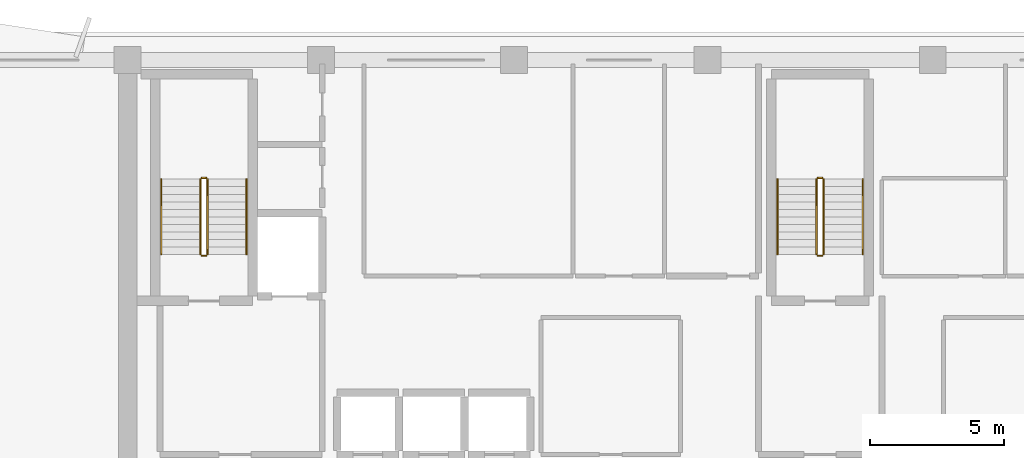
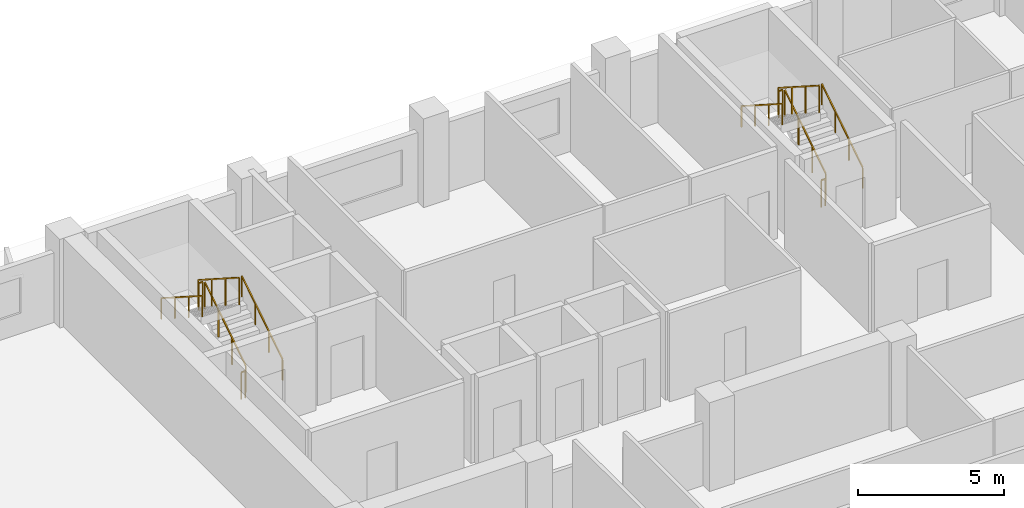
# One storey, part 10 of 11: 12 railings.
"""IFC4 building model written with IfcOpenShell, lengths in metres."""

from ifc_helpers import new_model, si_unit, direction, frame, origin, origin_2d, place, context, subcontext, project, spatial, rectangle, extrude, material, type_object, element, save


model = new_model("IFC4")

# Units and contexts
model_context = context("Model", 3, precision=1e-05, world=origin(), true_north=direction((0.0, 1.0)))
body_context = subcontext(model_context, "Body", "Model", "MODEL_VIEW")
ifc_project = project(units=[si_unit("LENGTHUNIT", "METRE"), si_unit("AREAUNIT", "SQUARE_METRE"), si_unit("VOLUMEUNIT", "CUBIC_METRE"), si_unit("PLANEANGLEUNIT", "RADIAN"), si_unit("MASSUNIT", "GRAM", prefix="KILO")], contexts=[model_context])

# Site, building, storey
site_placement = place(None, origin())
site = spatial("IfcSite", under=ifc_project, at=site_placement, CompositionType="ELEMENT")
building_placement = place(site_placement, origin())
building = spatial("IfcBuilding", under=site, at=building_placement, Name="Kaelvorn Grand Hotel", CompositionType="ELEMENT")
storey_placement = place(building_placement, frame((0.0, 0.0, 256.800048828125)))
storey = spatial("IfcBuildingStorey", under=building, at=storey_placement, Name="L63", CompositionType="ELEMENT", Elevation=256.800048828125)

# Railings
ifc_material = material(Name="Stainless Steel", Category="steel")
railing_type_1 = type_object("IfcRailingType", Name="RL-HANDRAIL-900", PredefinedType="HANDRAIL", material=ifc_material)
railing_1_placement = place(storey_placement, frame((20.6298828125, 41.760009765625, 0.179443359375)))
element("IfcRailing", 1, at=railing_1_placement, inside=storey, type_object=railing_type_1, Name="L63 ST1 stair handrail 1", PredefinedType="HANDRAIL", context=body_context, shape_type="SweptSolid", body=[
    extrude(rectangle(XDim=0.048095703125, YDim=0.048095703125, at=origin_2d()), frame((0.0, 0.0, 0.8759765625), z_axis=(0.0, 0.841809871826, 0.539774156196), x_axis=(-1.0, 0.0, 0.0)), (0.0, 0.0, 1.0), 3.326171875),
    extrude(rectangle(XDim=0.0419921875, YDim=0.0419921875, at=origin_2d()), origin(), (0.0, 0.0, 1.0), 0.851806640625),
    extrude(rectangle(XDim=0.0419921875, YDim=0.0419921875, at=origin_2d()), frame((0.0, 0.933349609375, 0.598388671875)), (0.0, 0.0, 1.0), 0.851806640625),
    extrude(rectangle(XDim=0.0419921875, YDim=0.0419921875, at=origin_2d()), frame((0.0, 1.86669921875, 1.197021484375)), (0.0, 0.0, 1.0), 0.851806640625),
    extrude(rectangle(XDim=0.0419921875, YDim=0.0419921875, at=origin_2d()), frame((0.0, 2.800048828125, 1.79541015625)), (0.0, 0.0, 1.0), 0.851806640625),
])
railing_2_placement = place(storey_placement, frame((17.449951171875, 44.56005859375, 2.154541015625)))
element("IfcRailing", 2, at=railing_2_placement, inside=storey, type_object=railing_type_1, Name="L63 ST1 stair handrail 2", PredefinedType="HANDRAIL", context=body_context, shape_type="SweptSolid", body=[
    extrude(rectangle(XDim=0.048095703125, YDim=0.048095703125, at=origin_2d()), frame((0.0, 0.0, 0.8759765625), z_axis=(0.0, -0.841809871826, 0.539774156196), x_axis=(1.0, 0.0, 0.0)), (0.0, 0.0, 1.0), 3.326171875),
    extrude(rectangle(XDim=0.0419921875, YDim=0.0419921875, at=origin_2d()), origin(), (0.0, 0.0, 1.0), 0.851806640625),
    extrude(rectangle(XDim=0.0419921875, YDim=0.0419921875, at=origin_2d()), frame((0.0, -0.933349609375, 0.598388671875)), (0.0, 0.0, 1.0), 0.851806640625),
    extrude(rectangle(XDim=0.0419921875, YDim=0.0419921875, at=origin_2d()), frame((0.0, -1.86669921875, 1.197021484375)), (0.0, 0.0, 1.0), 0.851806640625),
    extrude(rectangle(XDim=0.0419921875, YDim=0.0419921875, at=origin_2d()), frame((0.0, -2.800048828125, 1.79541015625)), (0.0, 0.0, 1.0), 0.851806640625),
])
railing_3_placement = place(storey_placement, frame((43.590087890625, 41.760009765625, 0.179443359375)))
element("IfcRailing", 3, at=railing_3_placement, inside=storey, type_object=railing_type_1, Name="L63 ST2 stair handrail 1", PredefinedType="HANDRAIL", context=body_context, shape_type="SweptSolid", body=[
    extrude(rectangle(XDim=0.048095703125, YDim=0.048095703125, at=origin_2d()), frame((0.0, 0.0, 0.8759765625), z_axis=(0.0, 0.841809871826, 0.539774156196), x_axis=(-1.0, 0.0, 0.0)), (0.0, 0.0, 1.0), 3.326171875),
    extrude(rectangle(XDim=0.0419921875, YDim=0.0419921875, at=origin_2d()), origin(), (0.0, 0.0, 1.0), 0.851806640625),
    extrude(rectangle(XDim=0.0419921875, YDim=0.0419921875, at=origin_2d()), frame((0.0, 0.933349609375, 0.598388671875)), (0.0, 0.0, 1.0), 0.851806640625),
    extrude(rectangle(XDim=0.0419921875, YDim=0.0419921875, at=origin_2d()), frame((0.0, 1.86669921875, 1.197021484375)), (0.0, 0.0, 1.0), 0.851806640625),
    extrude(rectangle(XDim=0.0419921875, YDim=0.0419921875, at=origin_2d()), frame((0.0, 2.800048828125, 1.79541015625)), (0.0, 0.0, 1.0), 0.851806640625),
])
railing_4_placement = place(storey_placement, frame((40.409912109375, 44.56005859375, 2.154541015625)))
element("IfcRailing", 4, at=railing_4_placement, inside=storey, type_object=railing_type_1, Name="L63 ST2 stair handrail 2", PredefinedType="HANDRAIL", context=body_context, shape_type="SweptSolid", body=[
    extrude(rectangle(XDim=0.048095703125, YDim=0.048095703125, at=origin_2d()), frame((0.0, 0.0, 0.8759765625), z_axis=(0.0, -0.841809871826, 0.539774156196), x_axis=(1.0, 0.0, 0.0)), (0.0, 0.0, 1.0), 3.326171875),
    extrude(rectangle(XDim=0.0419921875, YDim=0.0419921875, at=origin_2d()), origin(), (0.0, 0.0, 1.0), 0.851806640625),
    extrude(rectangle(XDim=0.0419921875, YDim=0.0419921875, at=origin_2d()), frame((0.0, -0.933349609375, 0.598388671875)), (0.0, 0.0, 1.0), 0.851806640625),
    extrude(rectangle(XDim=0.0419921875, YDim=0.0419921875, at=origin_2d()), frame((0.0, -1.86669921875, 1.197021484375)), (0.0, 0.0, 1.0), 0.851806640625),
    extrude(rectangle(XDim=0.0419921875, YDim=0.0419921875, at=origin_2d()), frame((0.0, -2.800048828125, 1.79541015625)), (0.0, 0.0, 1.0), 0.851806640625),
])
railing_type_2 = type_object("IfcRailingType", Name="RL-STAIR-GUARD-1150", PredefinedType="BALUSTRADE", material=ifc_material)
railing_5_placement = place(storey_placement, frame((19.169921875, 41.760009765625, 0.179443359375)))
element("IfcRailing", 5, at=railing_5_placement, inside=storey, type_object=railing_type_2, Name="L63 ST1 stair guard 1", PredefinedType="BALUSTRADE", context=body_context, shape_type="SweptSolid", body=[
    extrude(rectangle(XDim=0.048095703125, YDim=0.048095703125, at=origin_2d()), frame((0.0, 0.0, 1.1259765625), z_axis=(0.0, 0.841809871826, 0.539774156196), x_axis=(-1.0, 0.0, 0.0)), (0.0, 0.0, 1.0), 3.326171875),
    extrude(rectangle(XDim=0.0419921875, YDim=0.0419921875, at=origin_2d()), origin(), (0.0, 0.0, 1.0), 1.101806640625),
    extrude(rectangle(XDim=0.0419921875, YDim=0.0419921875, at=origin_2d()), frame((0.0, 0.933349609375, 0.598388671875)), (0.0, 0.0, 1.0), 1.101806640625),
    extrude(rectangle(XDim=0.0419921875, YDim=0.0419921875, at=origin_2d()), frame((0.0, 1.86669921875, 1.197021484375)), (0.0, 0.0, 1.0), 1.101806640625),
    extrude(rectangle(XDim=0.0419921875, YDim=0.0419921875, at=origin_2d()), frame((0.0, 2.800048828125, 1.79541015625)), (0.0, 0.0, 1.0), 1.101806640625),
])
railing_6_placement = place(storey_placement, frame((19.1201171875, 44.610107421875, 1.974853515625)))
element("IfcRailing", 6, at=railing_6_placement, inside=storey, type_object=railing_type_2, Name="L63 ST1 stair guard 2", PredefinedType="BALUSTRADE", context=body_context, shape_type="SweptSolid", body=[
    extrude(rectangle(XDim=0.048095703125, YDim=0.048095703125, at=origin_2d()), frame((0.0, 0.0, 1.1259765625), z_axis=(-1.0, 0.0, 0.0), x_axis=(0.0, -1.0, 0.0)), (0.0, 0.0, 1.0), 0.16015625),
    extrude(rectangle(XDim=0.0419921875, YDim=0.0419921875, at=origin_2d()), origin(), (0.0, 0.0, 1.0), 1.101806640625),
    extrude(rectangle(XDim=0.0419921875, YDim=0.0419921875, at=origin_2d()), frame((-0.16015625, 0.0, 0.0)), (0.0, 0.0, 1.0), 1.101806640625),
])
railing_7_placement = place(storey_placement, frame((18.909912109375, 44.56005859375, 2.154541015625)))
element("IfcRailing", 7, at=railing_7_placement, inside=storey, type_object=railing_type_2, Name="L63 ST1 stair guard 3", PredefinedType="BALUSTRADE", context=body_context, shape_type="SweptSolid", body=[
    extrude(rectangle(XDim=0.048095703125, YDim=0.048095703125, at=origin_2d()), frame((0.0, 0.0, 1.1259765625), z_axis=(0.0, -0.841809871826, 0.539774156196), x_axis=(1.0, 0.0, 0.0)), (0.0, 0.0, 1.0), 3.326171875),
    extrude(rectangle(XDim=0.0419921875, YDim=0.0419921875, at=origin_2d()), origin(), (0.0, 0.0, 1.0), 1.101806640625),
    extrude(rectangle(XDim=0.0419921875, YDim=0.0419921875, at=origin_2d()), frame((0.0, -0.933349609375, 0.598388671875)), (0.0, 0.0, 1.0), 1.101806640625),
    extrude(rectangle(XDim=0.0419921875, YDim=0.0419921875, at=origin_2d()), frame((0.0, -1.86669921875, 1.197021484375)), (0.0, 0.0, 1.0), 1.101806640625),
    extrude(rectangle(XDim=0.0419921875, YDim=0.0419921875, at=origin_2d()), frame((0.0, -2.800048828125, 1.79541015625)), (0.0, 0.0, 1.0), 1.101806640625),
])
railing_8_placement = place(storey_placement, frame((19.1201171875, 41.7099609375, 0.0)))
element("IfcRailing", 8, at=railing_8_placement, inside=storey, type_object=railing_type_2, Name="L63 ST1 stair guard 4", PredefinedType="BALUSTRADE", context=body_context, shape_type="SweptSolid", body=[
    extrude(rectangle(XDim=0.048095703125, YDim=0.048095703125, at=origin_2d()), frame((0.0, 0.0, 1.1259765625), z_axis=(-1.0, 0.0, 0.0), x_axis=(0.0, -1.0, 0.0)), (0.0, 0.0, 1.0), 0.16015625),
    extrude(rectangle(XDim=0.0419921875, YDim=0.0419921875, at=origin_2d()), origin(), (0.0, 0.0, 1.0), 1.101806640625),
    extrude(rectangle(XDim=0.0419921875, YDim=0.0419921875, at=origin_2d()), frame((-0.16015625, 0.0, 0.0)), (0.0, 0.0, 1.0), 1.101806640625),
])
railing_9_placement = place(storey_placement, frame((42.1298828125, 41.760009765625, 0.179443359375)))
element("IfcRailing", 9, at=railing_9_placement, inside=storey, type_object=railing_type_2, Name="L63 ST2 stair guard 1", PredefinedType="BALUSTRADE", context=body_context, shape_type="SweptSolid", body=[
    extrude(rectangle(XDim=0.048095703125, YDim=0.048095703125, at=origin_2d()), frame((0.0, 0.0, 1.1259765625), z_axis=(0.0, 0.841809871826, 0.539774156196), x_axis=(-1.0, 0.0, 0.0)), (0.0, 0.0, 1.0), 3.326171875),
    extrude(rectangle(XDim=0.0419921875, YDim=0.0419921875, at=origin_2d()), origin(), (0.0, 0.0, 1.0), 1.101806640625),
    extrude(rectangle(XDim=0.0419921875, YDim=0.0419921875, at=origin_2d()), frame((0.0, 0.933349609375, 0.598388671875)), (0.0, 0.0, 1.0), 1.101806640625),
    extrude(rectangle(XDim=0.0419921875, YDim=0.0419921875, at=origin_2d()), frame((0.0, 1.86669921875, 1.197021484375)), (0.0, 0.0, 1.0), 1.101806640625),
    extrude(rectangle(XDim=0.0419921875, YDim=0.0419921875, at=origin_2d()), frame((0.0, 2.800048828125, 1.79541015625)), (0.0, 0.0, 1.0), 1.101806640625),
])
railing_10_placement = place(storey_placement, frame((42.080078125, 44.610107421875, 1.974853515625)))
element("IfcRailing", 10, at=railing_10_placement, inside=storey, type_object=railing_type_2, Name="L63 ST2 stair guard 2", PredefinedType="BALUSTRADE", context=body_context, shape_type="SweptSolid", body=[
    extrude(rectangle(XDim=0.048095703125, YDim=0.048095703125, at=origin_2d()), frame((0.0, 0.0, 1.1259765625), z_axis=(-1.0, 0.0, 0.0), x_axis=(0.0, -1.0, 0.0)), (0.0, 0.0, 1.0), 0.16015625),
    extrude(rectangle(XDim=0.0419921875, YDim=0.0419921875, at=origin_2d()), origin(), (0.0, 0.0, 1.0), 1.101806640625),
    extrude(rectangle(XDim=0.0419921875, YDim=0.0419921875, at=origin_2d()), frame((-0.16015625, 0.0, 0.0)), (0.0, 0.0, 1.0), 1.101806640625),
])
railing_11_placement = place(storey_placement, frame((41.8701171875, 44.56005859375, 2.154541015625)))
element("IfcRailing", 11, at=railing_11_placement, inside=storey, type_object=railing_type_2, Name="L63 ST2 stair guard 3", PredefinedType="BALUSTRADE", context=body_context, shape_type="SweptSolid", body=[
    extrude(rectangle(XDim=0.048095703125, YDim=0.048095703125, at=origin_2d()), frame((0.0, 0.0, 1.1259765625), z_axis=(0.0, -0.841809871826, 0.539774156196), x_axis=(1.0, 0.0, 0.0)), (0.0, 0.0, 1.0), 3.326171875),
    extrude(rectangle(XDim=0.0419921875, YDim=0.0419921875, at=origin_2d()), origin(), (0.0, 0.0, 1.0), 1.101806640625),
    extrude(rectangle(XDim=0.0419921875, YDim=0.0419921875, at=origin_2d()), frame((0.0, -0.933349609375, 0.598388671875)), (0.0, 0.0, 1.0), 1.101806640625),
    extrude(rectangle(XDim=0.0419921875, YDim=0.0419921875, at=origin_2d()), frame((0.0, -1.86669921875, 1.197021484375)), (0.0, 0.0, 1.0), 1.101806640625),
    extrude(rectangle(XDim=0.0419921875, YDim=0.0419921875, at=origin_2d()), frame((0.0, -2.800048828125, 1.79541015625)), (0.0, 0.0, 1.0), 1.101806640625),
])
railing_12_placement = place(storey_placement, frame((42.080078125, 41.7099609375, 0.0)))
element("IfcRailing", 12, at=railing_12_placement, inside=storey, type_object=railing_type_2, Name="L63 ST2 stair guard 4", PredefinedType="BALUSTRADE", context=body_context, shape_type="SweptSolid", body=[
    extrude(rectangle(XDim=0.048095703125, YDim=0.048095703125, at=origin_2d()), frame((0.0, 0.0, 1.1259765625), z_axis=(-1.0, 0.0, 0.0), x_axis=(0.0, -1.0, 0.0)), (0.0, 0.0, 1.0), 0.16015625),
    extrude(rectangle(XDim=0.0419921875, YDim=0.0419921875, at=origin_2d()), origin(), (0.0, 0.0, 1.0), 1.101806640625),
    extrude(rectangle(XDim=0.0419921875, YDim=0.0419921875, at=origin_2d()), frame((-0.16015625, 0.0, 0.0)), (0.0, 0.0, 1.0), 1.101806640625),
])

save(model, "model.ifc")
